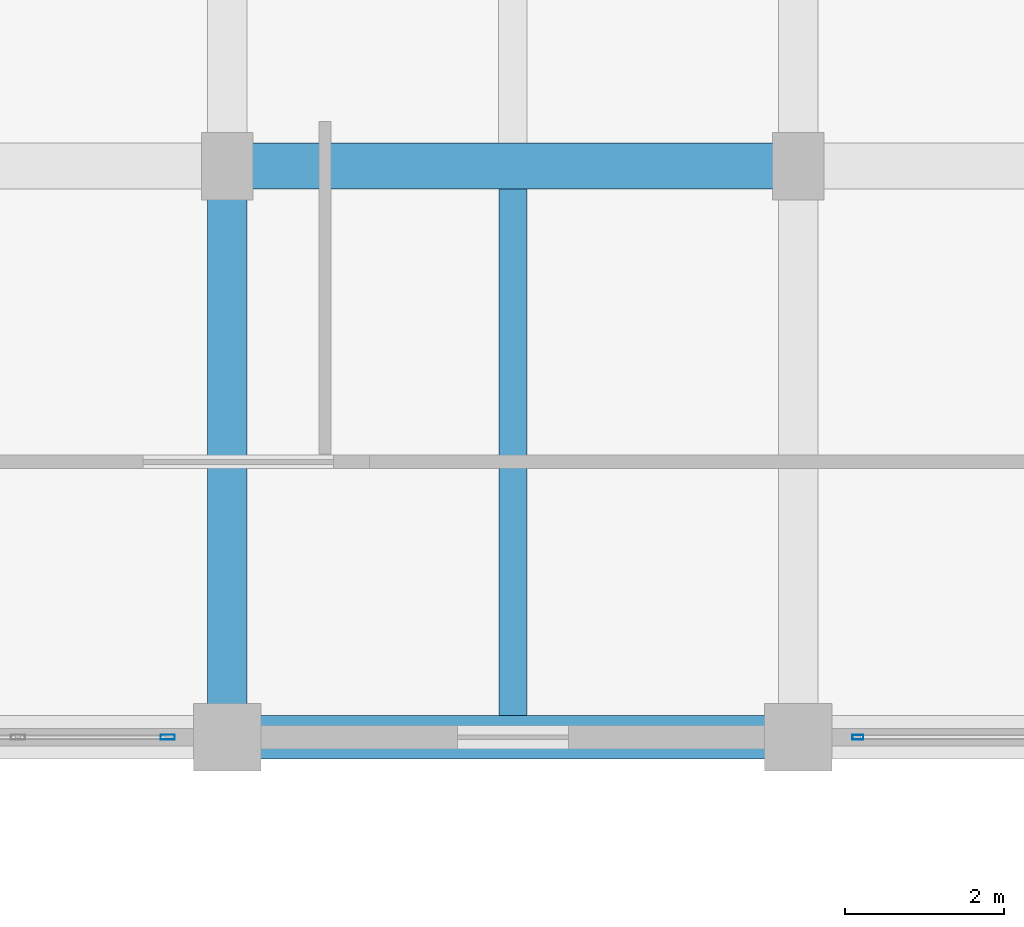
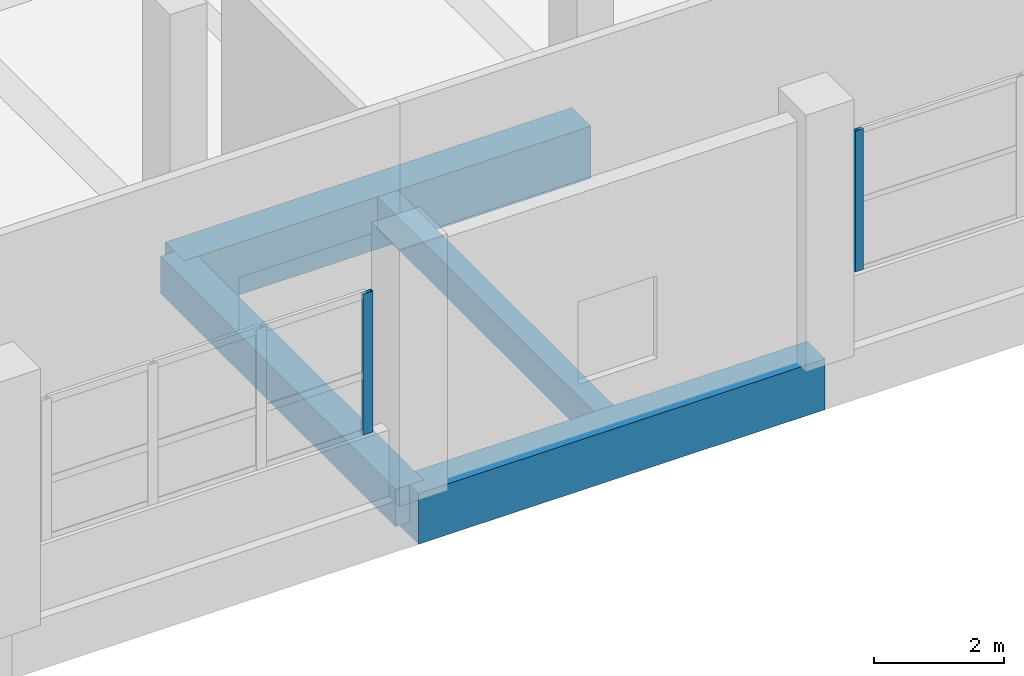
# One storey, part 127 of 181: 4 beams, 2 members, 2 elements without a shape of their own.
"""IFC4 building model written with IfcOpenShell, lengths in metres."""

from ifc_helpers import new_model, si_unit, direction, frame, origin, origin_2d, place, context, subcontext, project, spatial, rectangle, hollow_rectangle, extrude, material, layer, layer_set, material_profile, profile_set, type_object, element, aggregate, save


model = new_model("IFC4")

# Units and contexts
model_context = context("Model", 3, precision=1e-05, world=origin(), true_north=direction((0.0, 1.0)))
body_context = subcontext(model_context, "Body", "Model", "MODEL_VIEW")
ifc_project = project(units=[si_unit("LENGTHUNIT", "METRE"), si_unit("AREAUNIT", "SQUARE_METRE"), si_unit("VOLUMEUNIT", "CUBIC_METRE"), si_unit("PLANEANGLEUNIT", "RADIAN"), si_unit("MASSUNIT", "GRAM", prefix="KILO")], contexts=[model_context])

# Site, building, storey
site_placement = place(None, origin())
site = spatial("IfcSite", under=ifc_project, at=site_placement, CompositionType="ELEMENT")
building_placement = place(site_placement, origin())
building = spatial("IfcBuilding", under=site, at=building_placement, Name="Seraya Terrace Polytechnic", CompositionType="ELEMENT")
storey_placement = place(building_placement, frame((0.0, 0.0, 4.800048828125)))
storey = spatial("IfcBuildingStorey", under=building, at=storey_placement, Name="L01", CompositionType="ELEMENT", Elevation=4.800048828125)

# Beams
ifc_material_1 = material(Name="Concrete C40/50", Category="concrete")
ifc_material_profile_1 = material_profile(ifc_material_1, rectangle(XDim=0.580078125, YDim=0.97998046875, at=origin_2d()), Name="RC 580x980")
ifc_profile_set_1 = profile_set([ifc_material_profile_1], Name="Concrete C40/50")
beam_type_1 = type_object("IfcBeamType", Name="BM-02", PredefinedType="BEAM", material=ifc_profile_set_1)
beam_1_placement = place(storey_placement, frame((129.60009765625, 79.199951171875, -0.489990234375), z_axis=(1.0, 0.0, 0.0), x_axis=(0.0, 1.0, 0.0)))
element("IfcBeam", 1, at=beam_1_placement, inside=storey, type_object=beam_type_1, Name="Beam BM-02 L01 X (129.6..136.8, 79.2)", PredefinedType="BEAM", context=body_context, shape_type="SweptSolid", body=[
    extrude(rectangle(XDim=0.580078125, YDim=0.97998046875, at=origin_2d()), origin(), (0.0, 0.0, 1.0), 7.199951171875),
])
ifc_material_profile_2 = material_profile(ifc_material_1, rectangle(XDim=0.550048828125, YDim=0.949951171875, at=origin_2d()), Name="RC 550x950")
ifc_profile_set_2 = profile_set([ifc_material_profile_2], Name="Concrete C40/50")
beam_type_2 = type_object("IfcBeamType", Name="BM-03", PredefinedType="BEAM", material=ifc_profile_set_2)
beam_2_placement = place(storey_placement, frame((129.60009765625, 72.0, -0.47509765625), z_axis=(1.0, 0.0, 0.0), x_axis=(0.0, 1.0, 0.0)))
element("IfcBeam", 2, at=beam_2_placement, inside=storey, type_object=beam_type_2, Name="Beam BM-03 L01 X (129.6..136.8, 72.0)", PredefinedType="BEAM", context=body_context, shape_type="SweptSolid", body=[
    extrude(rectangle(XDim=0.550048828125, YDim=0.949951171875, at=origin_2d()), origin(), (0.0, 0.0, 1.0), 7.199951171875),
])
ifc_material_profile_3 = material_profile(ifc_material_1, rectangle(XDim=0.5, YDim=0.699951171875, at=origin_2d()), Name="RC 500x700")
ifc_profile_set_3 = profile_set([ifc_material_profile_3], Name="Concrete C40/50")
beam_type_3 = type_object("IfcBeamType", Name="BM-07", PredefinedType="BEAM", material=ifc_profile_set_3)
beam_3_placement = place(storey_placement, frame((129.60009765625, 72.0, -0.35009765625), z_axis=(0.0, 1.0, 0.0), x_axis=(-1.0, 0.0, 0.0)))
element("IfcBeam", 3, at=beam_3_placement, inside=storey, type_object=beam_type_3, Name="Beam BM-07 L01 Y (129.6, 72.0..79.2)", PredefinedType="BEAM", context=body_context, shape_type="SweptSolid", body=[
    extrude(rectangle(XDim=0.5, YDim=0.699951171875, at=origin_2d()), origin(), (0.0, 0.0, 1.0), 7.199951171875),
])

# Curtain wall, member
ifc_material_2 = material(Name="Anodised aluminium EN AW-6063 T6", Category="aluminium")
ifc_layer_1 = layer(ifc_material_2, 0.179931640625, Name="CW-13")
ifc_layer_set_1 = layer_set([ifc_layer_1], Name="Anodised aluminium EN AW-6063 T6")
curtain_wall_type_1 = type_object("IfcCurtainWallType", Name="CW-13", PredefinedType="NOTDEFINED", material=ifc_layer_set_1)
curtain_wall_1_placement = place(storey_placement, origin())
curtain_wall_1 = element("IfcCurtainWall", 4, at=curtain_wall_1_placement, inside=storey, type_object=curtain_wall_type_1, Name="Unitised curtain wall CW-13 (CW-L01-049)", PredefinedType="NOTDEFINED")
ifc_material_profile_4 = material_profile(ifc_material_2, hollow_rectangle(XDim=0.06494140625, YDim=0.179931640625, WallThickness=0.00390625, at=origin_2d()), Name="RHS 180x65x4.0")
ifc_profile_set_4 = profile_set([ifc_material_profile_4], Name="Anodised aluminium EN AW-6063 T6")
member_type_1 = type_object("IfcMemberType", Name="CWM-01", PredefinedType="MULLION", material=ifc_profile_set_4)
member_1_placement = place(storey_placement, frame((128.847412109375, 72.0, 1.239990234375), z_axis=(0.0, 0.0, 1.0), x_axis=(0.0, -1.0, 0.0)))
member_1 = element("IfcMember", 5, at=member_1_placement, type_object=member_type_1, Name="CW-13 mullion 1", PredefinedType="MULLION", context=body_context, shape_type="SweptSolid", body=[
    extrude(hollow_rectangle(XDim=0.06494140625, YDim=0.179931640625, WallThickness=0.00390625, at=origin_2d()), origin(), (0.0, 0.0, 1.0), 2.639892578125),
])
aggregate(curtain_wall_1, [member_1])

ifc_layer_2 = layer(ifc_material_2, 0.179931640625, Name="CW-12")
ifc_layer_set_2 = layer_set([ifc_layer_2], Name="Anodised aluminium EN AW-6063 T6")
curtain_wall_type_2 = type_object("IfcCurtainWallType", Name="CW-12", PredefinedType="NOTDEFINED", material=ifc_layer_set_2)
curtain_wall_2_placement = place(storey_placement, origin())
curtain_wall_2 = element("IfcCurtainWall", 6, at=curtain_wall_2_placement, inside=storey, type_object=curtain_wall_type_2, Name="Unitised curtain wall CW-12 (CW-L01-048)", PredefinedType="NOTDEFINED")
ifc_material_profile_5 = material_profile(ifc_material_2, hollow_rectangle(XDim=0.06005859375, YDim=0.139892578125, WallThickness=0.00341796875, at=origin_2d()), Name="RHS 140x60x3.5")
ifc_profile_set_5 = profile_set([ifc_material_profile_5], Name="Anodised aluminium EN AW-6063 T6")
member_type_2 = type_object("IfcMemberType", Name="CWM-03", PredefinedType="MULLION", material=ifc_profile_set_5)
member_2_placement = place(storey_placement, frame((137.550048828125, 72.0, 1.239990234375), z_axis=(0.0, 0.0, 1.0), x_axis=(0.0, -1.0, 0.0)))
member_2 = element("IfcMember", 7, at=member_2_placement, type_object=member_type_2, Name="CW-12 mullion 3", PredefinedType="MULLION", context=body_context, shape_type="SweptSolid", body=[
    extrude(hollow_rectangle(XDim=0.06005859375, YDim=0.139892578125, WallThickness=0.00341796875, at=origin_2d()), origin(), (0.0, 0.0, 1.0), 2.639892578125),
])
aggregate(curtain_wall_2, [member_2])

# Beam
ifc_material_profile_6 = material_profile(ifc_material_1, rectangle(XDim=0.35009765625, YDim=0.60009765625, at=origin_2d()), Name="RC 350x600")
ifc_profile_set_6 = profile_set([ifc_material_profile_6], Name="Concrete C40/50")
beam_type_4 = type_object("IfcBeamType", Name="JS-02", PredefinedType="JOIST", material=ifc_profile_set_6)
beam_4_placement = place(storey_placement, frame((133.199951171875, 72.27490234375, -0.300048828125), z_axis=(0.0, 1.0, 0.0), x_axis=(-1.0, 0.0, 0.0)))
element("IfcBeam", 8, at=beam_4_placement, inside=storey, type_object=beam_type_4, Name="Secondary joist JS-02 L01", PredefinedType="JOIST", context=body_context, shape_type="SweptSolid", body=[
    extrude(rectangle(XDim=0.35009765625, YDim=0.60009765625, at=origin_2d()), origin(), (0.0, 0.0, 1.0), 6.635009765625),
])

save(model, "model.ifc")
